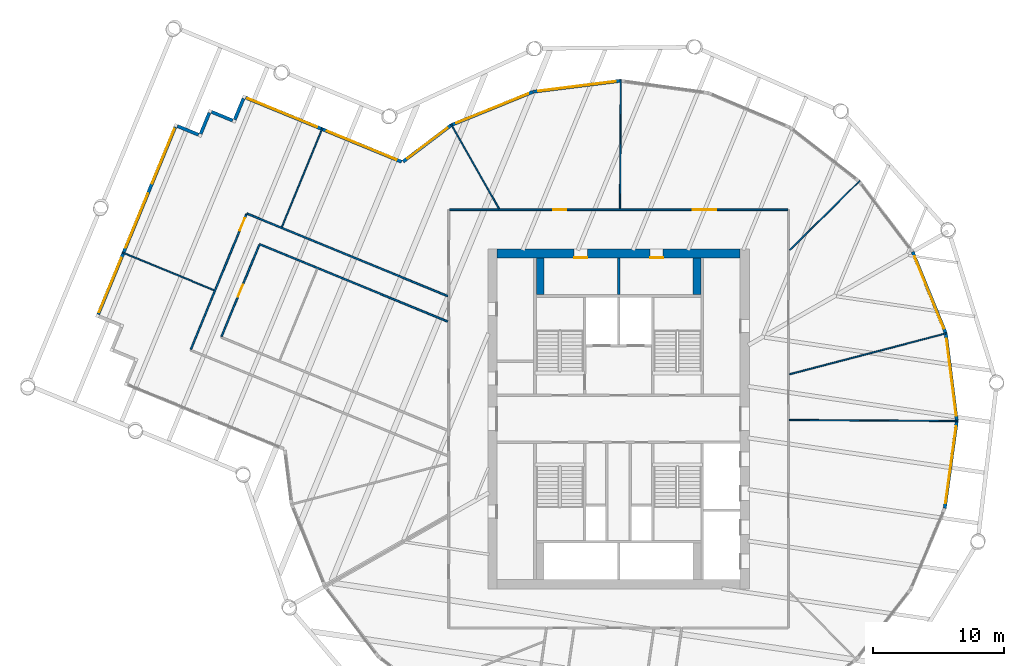
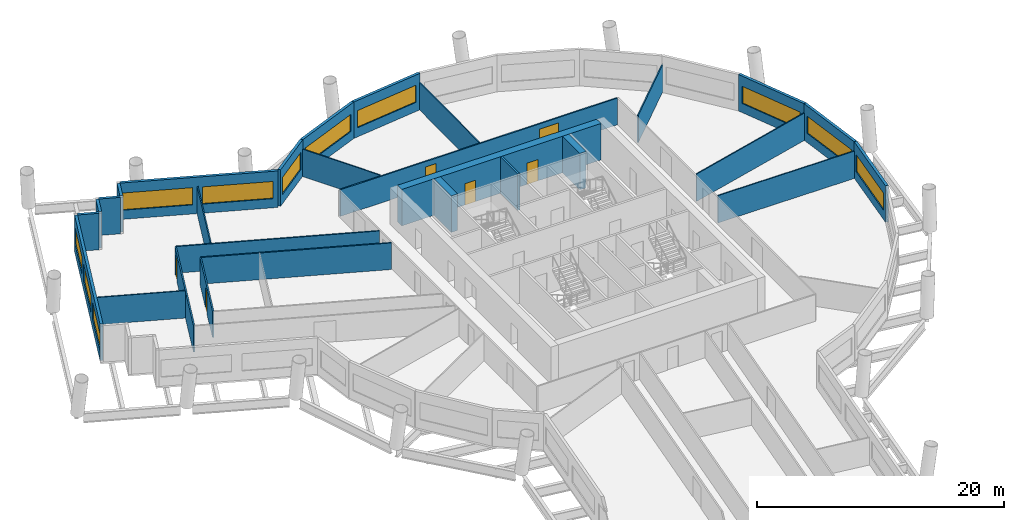
# One storey, part 6 of 11: 28 walls, 11 windows, 6 doors, 17 openings.
"""IFC4 building model written with IfcOpenShell, lengths in metres."""

from ifc_helpers import new_model, si_unit, direction, frame, frame_2d, origin, place, context, subcontext, project, spatial, rectangle, extrude, material, layer, layer_set, type_object, element, fill, save


model = new_model("IFC4")

# Units and contexts
model_context = context("Model", 3, precision=1e-05, world=origin(), true_north=direction((0.0, 1.0)))
body_context = subcontext(model_context, "Body", "Model", "MODEL_VIEW")
ifc_project = project(units=[si_unit("LENGTHUNIT", "METRE"), si_unit("AREAUNIT", "SQUARE_METRE"), si_unit("VOLUMEUNIT", "CUBIC_METRE"), si_unit("PLANEANGLEUNIT", "RADIAN"), si_unit("MASSUNIT", "GRAM", prefix="KILO")], contexts=[model_context])

# Site, building, storey
site_placement = place(None, origin())
site = spatial("IfcSite", under=ifc_project, at=site_placement, CompositionType="ELEMENT")
building_placement = place(site_placement, origin())
building = spatial("IfcBuilding", under=site, at=building_placement, Name="Tarsis Ring Headquarters", CompositionType="ELEMENT")
storey_placement = place(building_placement, frame((0.0, 0.0, 190.5)))
storey = spatial("IfcBuildingStorey", under=building, at=storey_placement, Name="L44", CompositionType="ELEMENT", Elevation=190.5)

# Wall
ifc_material_1 = material(Name="Blockwork", Category="masonry")
ifc_layer_1 = layer(ifc_material_1, 0.199951171875)
ifc_layer_set_1 = layer_set([ifc_layer_1], Name="Core blockwork wall 200")
wall_type_1 = type_object("IfcWallType", Name="Core blockwork wall 200", PredefinedType="PARTITIONING", material=ifc_layer_set_1)
wall_1_placement = place(storey_placement, frame((0.0, 9.5, 0.0), z_axis=(0.0, 0.0, 1.0), x_axis=(0.0, 1.0, 0.0)))
element("IfcWall", 1, at=wall_1_placement, inside=storey, type_object=wall_type_1, Name="Core partition ND2", PredefinedType="PARTITIONING", context=body_context, shape_type="SweptSolid", body=[
    extrude(rectangle(XDim=2.800048828125, YDim=0.199951171875, at=frame_2d((1.39990234375, 0.0))), origin(), (0.0, 0.0, 1.0), 3.60009765625),
])

# Wall, openings, doors
ifc_material_2 = material(Name="Concrete C60/75", Category="concrete")
ifc_layer_2 = layer(ifc_material_2, 0.699951171875)
ifc_layer_set_2 = layer_set([ifc_layer_2], Name="Core wall 700 C60/75")
wall_type_2 = type_object("IfcWallType", Name="Core wall 700 C60/75", PredefinedType="SHEAR", material=ifc_layer_set_2)
wall_2_placement = place(storey_placement, frame((-9.300048828125, 12.64990234375, 0.0), z_axis=(0.0, 0.0, 1.0), x_axis=(1.0, 0.0, 0.0)))
wall_2 = element("IfcWall", 2, at=wall_2_placement, inside=storey, type_object=wall_type_2, Name="Core wall ON", PredefinedType="SHEAR", context=body_context, shape_type="SweptSolid", body=[
    extrude(rectangle(XDim=18.60009765625, YDim=0.699951171875, at=frame_2d((9.300048828125, 0.0))), origin(), (0.0, 0.0, 1.0), 3.60009765625),
])
opening_1_placement = place(wall_2_placement, frame((5.89990234375, 0.0, 0.0)))
opening_1 = element("IfcOpeningElement", 3, at=opening_1_placement, cuts=wall_2, Name="Opening L44-C11", PredefinedType="OPENING", context=body_context, shape_type="SweptSolid", body=[
    extrude(rectangle(XDim=1.0, YDim=2.10009765625, at=frame_2d((0.5, 1.050048828125))), frame((0.0, 0.35986328125, 0.0), z_axis=(0.0, -1.0, 0.0), x_axis=(1.0, 0.0, 0.0)), (0.0, 0.0, 1.0), 0.719970703125),
])
opening_2_placement = place(wall_2_placement, frame((11.699951171875, 0.0, 0.0)))
opening_2 = element("IfcOpeningElement", 4, at=opening_2_placement, cuts=wall_2, Name="Opening L44-C12", PredefinedType="OPENING", context=body_context, shape_type="SweptSolid", body=[
    extrude(rectangle(XDim=1.0, YDim=2.10009765625, at=frame_2d((0.5, 1.050048828125))), frame((0.0, 0.35986328125, 0.0), z_axis=(0.0, -1.0, 0.0), x_axis=(1.0, 0.0, 0.0)), (0.0, 0.0, 1.0), 0.719970703125),
])
ifc_material_3 = material(Name="Steel S355", Category="steel")
door_type_1 = type_object("IfcDoorType", Name="Core room door 1000x2100", OperationType="SINGLE_SWING_LEFT", PredefinedType="DOOR", material=ifc_material_3)
door_1_placement = place(opening_1_placement, origin())
door_1 = element("IfcDoor", 5, at=door_1_placement, inside=storey, type_object=door_type_1, Name="Core room door L44", OperationType="SINGLE_SWING_LEFT", OverallHeight=2.10009765625, OverallWidth=1.0, PredefinedType="DOOR", context=body_context, shape_type="SweptSolid", body=[
    extrude(rectangle(XDim=1.0, YDim=2.10009765625, at=frame_2d((0.5, 1.050048828125))), frame((0.0, -0.2998046875, 0.0), z_axis=(0.0, -1.0, 0.0), x_axis=(1.0, 0.0, 0.0)), (0.0, 0.0, 1.0), 0.050048828125),
])
fill(opening_1, door_1)
door_2_placement = place(opening_2_placement, origin())
door_2 = element("IfcDoor", 6, at=door_2_placement, inside=storey, type_object=door_type_1, Name="Core room door L44", OperationType="SINGLE_SWING_LEFT", OverallHeight=2.10009765625, OverallWidth=1.0, PredefinedType="DOOR", context=body_context, shape_type="SweptSolid", body=[
    extrude(rectangle(XDim=1.0, YDim=2.10009765625, at=frame_2d((0.5, 1.050048828125))), frame((0.0, -0.2998046875, 0.0), z_axis=(0.0, -1.0, 0.0), x_axis=(1.0, 0.0, 0.0)), (0.0, 0.0, 1.0), 0.050048828125),
])
fill(opening_2, door_2)

# Walls
ifc_material_4 = material(Name="Gypsum board on steel studs", Category="steel")
ifc_layer_3 = layer(ifc_material_4, 0.10009765625)
ifc_layer_set_3 = layer_set([ifc_layer_3], Name="FL partition 100 unrated")
wall_type_3 = type_object("IfcWallType", Name="FL partition 100 unrated", PredefinedType="PARTITIONING", material=ifc_layer_set_3)
wall_3_placement = place(storey_placement, frame((13.070068359375, -0.08203125, 0.0), z_axis=(0.0, 0.0, 1.0), x_axis=(0.99998019063, -0.006294310803, 0.0)))
element("IfcWall", 7, at=wall_3_placement, inside=storey, type_object=wall_type_3, Name="Partition PW3", PredefinedType="PARTITIONING", context=body_context, shape_type="SweptSolid", body=[
    extrude(rectangle(XDim=12.87744140625, YDim=0.10009765625, at=frame_2d((6.438720703125, 0.0))), origin(), (0.0, 0.0, 1.0), 2.699951171875),
])
wall_4_placement = place(storey_placement, frame((13.067626953125, 3.41357421875, 0.0), z_axis=(0.0, 0.0, 1.0), x_axis=(0.967534284059, 0.252739805275, 0.0)))
element("IfcWall", 8, at=wall_4_placement, inside=storey, type_object=wall_type_3, Name="Partition PW3", PredefinedType="PARTITIONING", context=body_context, shape_type="SweptSolid", body=[
    extrude(rectangle(XDim=12.44189453125, YDim=0.10009765625, at=frame_2d((6.220947265625, 0.0))), origin(), (0.0, 0.0, 1.0), 2.699951171875),
])
wall_5_placement = place(storey_placement, frame((0.10107421875, 16.070068359375, 0.0), z_axis=(0.0, 0.0, 1.0), x_axis=(0.006278147026, 0.999980292241, 0.0)))
element("IfcWall", 9, at=wall_5_placement, inside=storey, type_object=wall_type_3, Name="Partition PW3", PredefinedType="PARTITIONING", context=body_context, shape_type="SweptSolid", body=[
    extrude(rectangle(XDim=9.87744140625, YDim=0.10009765625, at=frame_2d((4.938720703125, 0.0))), origin(), (0.0, 0.0, 1.0), 2.699951171875),
])
wall_6_placement = place(storey_placement, frame((-25.77001953125, 14.68798828125, 0.0), z_axis=(0.0, 0.0, 1.0), x_axis=(0.380435662112, 0.924807389132, 0.0)))
element("IfcWall", 10, at=wall_6_placement, inside=storey, type_object=wall_type_3, Name="Partition PW3", PredefinedType="PARTITIONING", context=body_context, shape_type="SweptSolid", body=[
    extrude(rectangle(XDim=8.169921875, YDim=0.10009765625, at=frame_2d((4.0849609375, 0.0))), origin(), (0.0, 0.0, 1.0), 2.699951171875),
])
wall_7_placement = place(storey_placement, frame((13.08544921875, 12.922119140625, 0.0), z_axis=(0.0, 0.0, 1.0), x_axis=(0.711534672109, 0.702650987608, 0.0)))
element("IfcWall", 11, at=wall_7_placement, inside=storey, type_object=wall_type_3, Name="Partition PW3", PredefinedType="PARTITIONING", context=body_context, shape_type="SweptSolid", body=[
    extrude(rectangle(XDim=7.5576171875, YDim=0.10009765625, at=frame_2d((3.77880859375, 0.0))), origin(), (0.0, 0.0, 1.0), 2.699951171875),
])
wall_8_placement = place(storey_placement, frame((-37.9619140625, 12.728759765625, 0.0), z_axis=(0.0, 0.0, 1.0), x_axis=(0.924814117253, -0.380419306199, 0.0)))
element("IfcWall", 12, at=wall_8_placement, inside=storey, type_object=wall_type_3, Name="Partition PW3", PredefinedType="PARTITIONING", context=body_context, shape_type="SweptSolid", body=[
    extrude(rectangle(XDim=7.579833984375, YDim=0.10009765625, at=frame_2d((3.7900390625, 0.0))), origin(), (0.0, 0.0, 1.0), 2.699951171875),
])
wall_9_placement = place(storey_placement, frame((-12.83251953125, 22.552490234375, 0.0), z_axis=(0.0, 0.0, 1.0), x_axis=(0.494539190317, -0.869155330905, 0.0)))
element("IfcWall", 13, at=wall_9_placement, inside=storey, type_object=wall_type_3, Name="Partition PW3", PredefinedType="PARTITIONING", context=body_context, shape_type="SweptSolid", body=[
    extrude(rectangle(XDim=7.448974609375, YDim=0.10009765625, at=frame_2d((3.724609375, 0.0))), origin(), (0.0, 0.0, 1.0), 2.699951171875),
])

# Wall, openings, doors
ifc_layer_4 = layer(ifc_material_4, 0.125)
ifc_layer_set_4 = layer_set([ifc_layer_4], Name="FL partition 125 EI 60 H2630")
wall_type_4 = type_object("IfcWallType", Name="FL partition 125 EI 60 H2630", PredefinedType="PARTITIONING", material=ifc_layer_set_4)
wall_10_placement = place(storey_placement, frame((-12.93798828125, 16.0, 0.0), z_axis=(0.0, 0.0, 1.0), x_axis=(1.0, 0.0, 0.0)))
wall_10 = element("IfcWall", 14, at=wall_10_placement, inside=storey, type_object=wall_type_4, Name="Partition PW1H263", PredefinedType="PARTITIONING", context=body_context, shape_type="SweptSolid", body=[
    extrude(rectangle(XDim=25.8779296875, YDim=0.125, at=frame_2d((12.93896484375, 0.0))), origin(), (0.0, 0.0, 1.0), 2.6298828125),
])
opening_3_placement = place(wall_10_placement, frame((7.936279296875, 0.0, 0.0)))
opening_3 = element("IfcOpeningElement", 15, at=opening_3_placement, cuts=wall_10, Name="Opening D44.04", PredefinedType="OPENING", context=body_context, shape_type="SweptSolid", body=[
    extrude(rectangle(XDim=1.0, YDim=2.10009765625, at=frame_2d((0.5, 1.050048828125))), frame((0.0, 0.072509765625, 0.0), z_axis=(0.0, -1.0, 0.0), x_axis=(1.0, 0.0, 0.0)), (0.0, 0.0, 1.0), 0.14501953125),
])
opening_4_placement = place(wall_10_placement, frame((18.58837890625, 0.0, 0.0)))
opening_4 = element("IfcOpeningElement", 16, at=opening_4_placement, cuts=wall_10, Name="Opening D44.05", PredefinedType="OPENING", context=body_context, shape_type="SweptSolid", body=[
    extrude(rectangle(XDim=1.800048828125, YDim=2.10009765625, at=frame_2d((0.89990234375, 1.050048828125))), frame((0.0, 0.072509765625, 0.0), z_axis=(0.0, -1.0, 0.0), x_axis=(1.0, 0.0, 0.0)), (0.0, 0.0, 1.0), 0.14501953125),
])
ifc_material_5 = material(Name="Fire-rated timber door leaf in steel frame", Category="steel")
door_type_2 = type_object("IfcDoorType", Name="FL door FD60-1000", OperationType="NOTDEFINED", PredefinedType="DOOR", material=ifc_material_5)
door_3_placement = place(opening_3_placement, origin())
door_3 = element("IfcDoor", 17, at=door_3_placement, inside=storey, type_object=door_type_2, Name="Door D44.04", OperationType="SINGLE_SWING_RIGHT", OverallHeight=2.10009765625, OverallWidth=1.0, PredefinedType="DOOR", context=body_context, shape_type="SweptSolid", body=[
    extrude(rectangle(XDim=1.0, YDim=2.10009765625, at=frame_2d((0.5, 1.050048828125))), frame((0.0, 0.02490234375, 0.0), z_axis=(0.0, -1.0, 0.0), x_axis=(1.0, 0.0, 0.0)), (0.0, 0.0, 1.0), 0.050048828125),
])
fill(opening_3, door_3)
door_type_3 = type_object("IfcDoorType", Name="FL door FD60-1800", OperationType="DOUBLE_DOOR_SINGLE_SWING", PredefinedType="DOOR", material=ifc_material_5)
door_4_placement = place(opening_4_placement, origin())
door_4 = element("IfcDoor", 18, at=door_4_placement, inside=storey, type_object=door_type_3, Name="Door D44.05", OperationType="DOUBLE_DOOR_SINGLE_SWING", OverallHeight=2.10009765625, OverallWidth=1.800048828125, PredefinedType="DOOR", context=body_context, shape_type="SweptSolid", body=[
    extrude(rectangle(XDim=1.800048828125, YDim=2.10009765625, at=frame_2d((0.89990234375, 1.050048828125))), frame((0.0, 0.02490234375, 0.0), z_axis=(0.0, -1.0, 0.0), x_axis=(1.0, 0.0, 0.0)), (0.0, 0.0, 1.0), 0.050048828125),
])
fill(opening_4, door_4)

# Walls
wall_11_placement = place(storey_placement, frame((-28.4599609375, 15.71875, 0.0), z_axis=(0.0, 0.0, 1.0), x_axis=(0.924813363225, -0.380421139267, 0.0)))
element("IfcWall", 19, at=wall_11_placement, inside=storey, type_object=wall_type_4, Name="Partition PW1H263", PredefinedType="PARTITIONING", context=body_context, shape_type="SweptSolid", body=[
    extrude(rectangle(XDim=16.626708984375, YDim=0.125, at=frame_2d((8.3134765625, 0.0))), origin(), (0.0, 0.0, 1.0), 2.6298828125),
])
wall_12_placement = place(storey_placement, frame((-27.47998046875, 13.369384765625, 0.0), z_axis=(0.0, 0.0, 1.0), x_axis=(0.92480698887, -0.380436635114, 0.0)))
element("IfcWall", 20, at=wall_12_placement, inside=storey, type_object=wall_type_4, Name="Partition PW1H263", PredefinedType="PARTITIONING", context=body_context, shape_type="SweptSolid", body=[
    extrude(rectangle(XDim=15.5673828125, YDim=0.125, at=frame_2d((7.78369140625, 0.0))), origin(), (0.0, 0.0, 1.0), 2.6298828125),
])

# Wall, opening, door
wall_13_placement = place(storey_placement, frame((-32.736083984375, 5.323974609375, 0.0), z_axis=(0.0, 0.0, 1.0), x_axis=(0.380427972442, 0.924810552375, 0.0)))
wall_13 = element("IfcWall", 21, at=wall_13_placement, inside=storey, type_object=wall_type_4, Name="Partition PW1H263", PredefinedType="PARTITIONING", context=body_context, shape_type="SweptSolid", body=[
    extrude(rectangle(XDim=11.179931640625, YDim=0.125, at=frame_2d((5.58984375, 0.0))), origin(), (0.0, 0.0, 1.0), 2.6298828125),
])
opening_5_placement = place(wall_13_placement, frame((9.840087890625, 0.0, 0.0)))
opening_5 = element("IfcOpeningElement", 22, at=opening_5_placement, cuts=wall_13, Name="Opening D44.02", PredefinedType="OPENING", context=body_context, shape_type="SweptSolid", body=[
    extrude(rectangle(XDim=1.0, YDim=2.10009765625, at=frame_2d((0.5, 1.050048828125))), frame((0.0, 0.072509765625, 0.0), z_axis=(0.0, -1.0, 0.0), x_axis=(1.0, 0.0, 0.0)), (0.0, 0.0, 1.0), 0.14501953125),
])
door_5_placement = place(opening_5_placement, origin())
door_5 = element("IfcDoor", 23, at=door_5_placement, inside=storey, type_object=door_type_2, Name="Door D44.02", OperationType="SINGLE_SWING_RIGHT", OverallHeight=2.10009765625, OverallWidth=1.0, PredefinedType="DOOR", context=body_context, shape_type="SweptSolid", body=[
    extrude(rectangle(XDim=1.0, YDim=2.10009765625, at=frame_2d((0.5, 1.050048828125))), frame((0.0, 0.02490234375, 0.0), z_axis=(0.0, -1.0, 0.0), x_axis=(1.0, 0.0, 0.0)), (0.0, 0.0, 1.0), 0.050048828125),
])
fill(opening_5, door_5)

wall_14_placement = place(storey_placement, frame((-30.38671875, 6.3037109375, 0.0), z_axis=(0.0, 0.0, 1.0), x_axis=(0.38043552148, 0.924807446984, 0.0)))
wall_14 = element("IfcWall", 24, at=wall_14_placement, inside=storey, type_object=wall_type_4, Name="Partition PW1H263", PredefinedType="PARTITIONING", context=body_context, shape_type="SweptSolid", body=[
    extrude(rectangle(XDim=7.580322265625, YDim=0.125, at=frame_2d((3.7900390625, 0.0))), origin(), (0.0, 0.0, 1.0), 2.6298828125),
])
opening_6_placement = place(wall_14_placement, frame((3.2900390625, 0.0, 0.0)))
opening_6 = element("IfcOpeningElement", 25, at=opening_6_placement, cuts=wall_14, Name="Opening D44.15", PredefinedType="OPENING", context=body_context, shape_type="SweptSolid", body=[
    extrude(rectangle(XDim=1.0, YDim=2.10009765625, at=frame_2d((0.5, 1.050048828125))), frame((0.0, 0.072509765625, 0.0), z_axis=(0.0, -1.0, 0.0), x_axis=(1.0, 0.0, 0.0)), (0.0, 0.0, 1.0), 0.14501953125),
])
door_6_placement = place(opening_6_placement, origin())
door_6 = element("IfcDoor", 26, at=door_6_placement, inside=storey, type_object=door_type_2, Name="Door D44.15", OperationType="SINGLE_SWING_LEFT", OverallHeight=2.10009765625, OverallWidth=1.0, PredefinedType="DOOR", context=body_context, shape_type="SweptSolid", body=[
    extrude(rectangle(XDim=1.0, YDim=2.10009765625, at=frame_2d((0.5, 1.050048828125))), frame((0.0, 0.02490234375, 0.0), z_axis=(0.0, -1.0, 0.0), x_axis=(1.0, 0.0, 0.0)), (0.0, 0.0, 1.0), 0.050048828125),
])
fill(opening_6, door_6)

# Wall, opening, window
ifc_material_6 = material(Name="Terracotta clad insulated panel wall", Category="masonry")
ifc_layer_5 = layer(ifc_material_6, 0.25)
ifc_layer_set_5 = layer_set([ifc_layer_5], Name="Facade wall terracotta panel 250")
wall_type_5 = type_object("IfcWallType", Name="Facade wall terracotta panel 250", PredefinedType="STANDARD", material=ifc_layer_set_5)
wall_15_placement = place(storey_placement, frame((24.951904296875, -6.837158203125, 0.0), z_axis=(0.0, 0.0, 1.0), x_axis=(0.13675662251, 0.990604677053, 0.0)))
wall_15 = element("IfcWall", 27, at=wall_15_placement, inside=storey, type_object=wall_type_5, Name="External wall L44-21", PredefinedType="STANDARD", context=body_context, shape_type="SweptSolid", body=[
    extrude(rectangle(XDim=6.721435546875, YDim=0.25, at=frame_2d((3.36083984375, 0.0))), origin(), (0.0, 0.0, 1.0), 3.60009765625),
])
opening_7_placement = place(wall_15_placement, frame((0.3857421875, 0.0, 0.89990234375)))
opening_7 = element("IfcOpeningElement", 28, at=opening_7_placement, cuts=wall_15, Name="Opening WN07", PredefinedType="OPENING", context=body_context, shape_type="SweptSolid", body=[
    extrude(rectangle(XDim=5.949951171875, YDim=1.699951171875, at=frame_2d((2.97509765625, 0.85009765625))), frame((0.0, 0.135009765625, 0.0), z_axis=(0.0, -1.0, 0.0), x_axis=(1.0, 0.0, 0.0)), (0.0, 0.0, 1.0), 0.27001953125),
])
ifc_material_7 = material(Name="Aluminium framed double glazing", Category="aluminium")
window_type_1 = type_object("IfcWindowType", Name="Facade window 5950 x 1700", PartitioningType="SINGLE_PANEL", PredefinedType="WINDOW", material=ifc_material_7)
window_1_placement = place(opening_7_placement, origin())
window_1 = element("IfcWindow", 29, at=window_1_placement, inside=storey, type_object=window_type_1, Name="Window L44-21.1", OverallHeight=1.699951171875, OverallWidth=5.949951171875, PartitioningType="SINGLE_PANEL", PredefinedType="WINDOW", context=body_context, shape_type="SweptSolid", body=[
    extrude(rectangle(XDim=5.949951171875, YDim=1.699951171875, at=frame_2d((2.97509765625, 0.85009765625))), frame((0.0, 0.030029296875, 0.0), z_axis=(0.0, -1.0, 0.0), x_axis=(1.0, 0.0, 0.0)), (0.0, 0.0, 1.0), 0.06005859375),
])
fill(opening_7, window_1)

wall_16_placement = place(storey_placement, frame((25.871337890625, -0.146240234375, 0.0), z_axis=(0.0, 0.0, 1.0), x_axis=(-0.124294013826, 0.992245432404, 0.0)))
wall_16 = element("IfcWall", 30, at=wall_16_placement, inside=storey, type_object=wall_type_5, Name="External wall L44-22", PredefinedType="STANDARD", context=body_context, shape_type="SweptSolid", body=[
    extrude(rectangle(XDim=6.721435546875, YDim=0.25, at=frame_2d((3.36083984375, 0.0))), origin(), (0.0, 0.0, 1.0), 3.60009765625),
])
opening_8_placement = place(wall_16_placement, frame((0.3857421875, 0.0, 0.89990234375)))
opening_8 = element("IfcOpeningElement", 31, at=opening_8_placement, cuts=wall_16, Name="Opening WN07", PredefinedType="OPENING", context=body_context, shape_type="SweptSolid", body=[
    extrude(rectangle(XDim=5.949951171875, YDim=1.699951171875, at=frame_2d((2.97509765625, 0.85009765625))), frame((0.0, 0.135009765625, 0.0), z_axis=(0.0, -1.0, 0.0), x_axis=(1.0, 0.0, 0.0)), (0.0, 0.0, 1.0), 0.27001953125),
])
window_2_placement = place(opening_8_placement, origin())
window_2 = element("IfcWindow", 32, at=window_2_placement, inside=storey, type_object=window_type_1, Name="Window L44-22.1", OverallHeight=1.699951171875, OverallWidth=5.949951171875, PartitioningType="SINGLE_PANEL", PredefinedType="WINDOW", context=body_context, shape_type="SweptSolid", body=[
    extrude(rectangle(XDim=5.949951171875, YDim=1.699951171875, at=frame_2d((2.97509765625, 0.85009765625))), frame((0.0, 0.030029296875, 0.0), z_axis=(0.0, -1.0, 0.0), x_axis=(1.0, 0.0, 0.0)), (0.0, 0.0, 1.0), 0.06005859375),
])
fill(opening_8, window_2)

wall_17_placement = place(storey_placement, frame((25.027587890625, 6.5546875, 0.0), z_axis=(0.0, 0.0, 1.0), x_axis=(-0.376838801748, 0.92627885515, 0.0)))
wall_17 = element("IfcWall", 33, at=wall_17_placement, inside=storey, type_object=wall_type_5, Name="External wall L44-23", PredefinedType="STANDARD", context=body_context, shape_type="SweptSolid", body=[
    extrude(rectangle(XDim=6.7216796875, YDim=0.25, at=frame_2d((3.36083984375, 0.0))), origin(), (0.0, 0.0, 1.0), 3.60009765625),
])
opening_9_placement = place(wall_17_placement, frame((0.3857421875, 0.0, 0.89990234375)))
opening_9 = element("IfcOpeningElement", 34, at=opening_9_placement, cuts=wall_17, Name="Opening WN07", PredefinedType="OPENING", context=body_context, shape_type="SweptSolid", body=[
    extrude(rectangle(XDim=5.949951171875, YDim=1.699951171875, at=frame_2d((2.97509765625, 0.85009765625))), frame((0.0, 0.135009765625, 0.0), z_axis=(0.0, -1.0, 0.0), x_axis=(1.0, 0.0, 0.0)), (0.0, 0.0, 1.0), 0.27001953125),
])
window_3_placement = place(opening_9_placement, origin())
window_3 = element("IfcWindow", 35, at=window_3_placement, inside=storey, type_object=window_type_1, Name="Window L44-23.1", OverallHeight=1.699951171875, OverallWidth=5.949951171875, PartitioningType="SINGLE_PANEL", PredefinedType="WINDOW", context=body_context, shape_type="SweptSolid", body=[
    extrude(rectangle(XDim=5.949951171875, YDim=1.699951171875, at=frame_2d((2.97509765625, 0.85009765625))), frame((0.0, 0.030029296875, 0.0), z_axis=(0.0, -1.0, 0.0), x_axis=(1.0, 0.0, 0.0)), (0.0, 0.0, 1.0), 0.06005859375),
])
fill(opening_9, window_3)

wall_18_placement = place(storey_placement, frame((0.146240234375, 25.871337890625, 0.0), z_axis=(0.0, 0.0, 1.0), x_axis=(-0.992245432404, -0.124294013826, 0.0)))
wall_18 = element("IfcWall", 36, at=wall_18_placement, inside=storey, type_object=wall_type_5, Name="External wall L44-28", PredefinedType="STANDARD", context=body_context, shape_type="SweptSolid", body=[
    extrude(rectangle(XDim=6.721435546875, YDim=0.25, at=frame_2d((3.36083984375, 0.0))), origin(), (0.0, 0.0, 1.0), 3.60009765625),
])
opening_10_placement = place(wall_18_placement, frame((0.3857421875, 0.0, 0.89990234375)))
opening_10 = element("IfcOpeningElement", 37, at=opening_10_placement, cuts=wall_18, Name="Opening WN07", PredefinedType="OPENING", context=body_context, shape_type="SweptSolid", body=[
    extrude(rectangle(XDim=5.949951171875, YDim=1.699951171875, at=frame_2d((2.97509765625, 0.85009765625))), frame((0.0, 0.135009765625, 0.0), z_axis=(0.0, -1.0, 0.0), x_axis=(1.0, 0.0, 0.0)), (0.0, 0.0, 1.0), 0.27001953125),
])
window_4_placement = place(opening_10_placement, origin())
window_4 = element("IfcWindow", 38, at=window_4_placement, inside=storey, type_object=window_type_1, Name="Window L44-28.1", OverallHeight=1.699951171875, OverallWidth=5.949951171875, PartitioningType="SINGLE_PANEL", PredefinedType="WINDOW", context=body_context, shape_type="SweptSolid", body=[
    extrude(rectangle(XDim=5.949951171875, YDim=1.699951171875, at=frame_2d((2.97509765625, 0.85009765625))), frame((0.0, 0.030029296875, 0.0), z_axis=(0.0, -1.0, 0.0), x_axis=(1.0, 0.0, 0.0)), (0.0, 0.0, 1.0), 0.06005859375),
])
fill(opening_10, window_4)

wall_19_placement = place(storey_placement, frame((-6.5546875, 25.027587890625, 0.0), z_axis=(0.0, 0.0, 1.0), x_axis=(-0.92627885515, -0.376838801748, 0.0)))
wall_19 = element("IfcWall", 39, at=wall_19_placement, inside=storey, type_object=wall_type_5, Name="External wall L44-29", PredefinedType="STANDARD", context=body_context, shape_type="SweptSolid", body=[
    extrude(rectangle(XDim=6.7216796875, YDim=0.25, at=frame_2d((3.36083984375, 0.0))), origin(), (0.0, 0.0, 1.0), 3.60009765625),
])
opening_11_placement = place(wall_19_placement, frame((0.3857421875, 0.0, 0.89990234375)))
opening_11 = element("IfcOpeningElement", 40, at=opening_11_placement, cuts=wall_19, Name="Opening WN07", PredefinedType="OPENING", context=body_context, shape_type="SweptSolid", body=[
    extrude(rectangle(XDim=5.949951171875, YDim=1.699951171875, at=frame_2d((2.97509765625, 0.85009765625))), frame((0.0, 0.135009765625, 0.0), z_axis=(0.0, -1.0, 0.0), x_axis=(1.0, 0.0, 0.0)), (0.0, 0.0, 1.0), 0.27001953125),
])
window_5_placement = place(opening_11_placement, origin())
window_5 = element("IfcWindow", 41, at=window_5_placement, inside=storey, type_object=window_type_1, Name="Window L44-29.1", OverallHeight=1.699951171875, OverallWidth=5.949951171875, PartitioningType="SINGLE_PANEL", PredefinedType="WINDOW", context=body_context, shape_type="SweptSolid", body=[
    extrude(rectangle(XDim=5.949951171875, YDim=1.699951171875, at=frame_2d((2.97509765625, 0.85009765625))), frame((0.0, 0.030029296875, 0.0), z_axis=(0.0, -1.0, 0.0), x_axis=(1.0, 0.0, 0.0)), (0.0, 0.0, 1.0), 0.06005859375),
])
fill(opening_11, window_5)

wall_20_placement = place(storey_placement, frame((-12.80908203125, 22.478271484375, 0.0), z_axis=(0.0, 0.0, 1.0), x_axis=(-0.797186991254, -0.603732474674, 0.0)))
wall_20 = element("IfcWall", 42, at=wall_20_placement, inside=storey, type_object=wall_type_5, Name="External wall L44-30", PredefinedType="STANDARD", context=body_context, shape_type="SweptSolid", body=[
    extrude(rectangle(XDim=4.61767578125, YDim=0.25, at=frame_2d((2.308837890625, 0.0))), origin(), (0.0, 0.0, 1.0), 3.60009765625),
])
opening_12_placement = place(wall_20_placement, frame((0.367431640625, 0.0, 0.89990234375)))
opening_12 = element("IfcOpeningElement", 43, at=opening_12_placement, cuts=wall_20, Name="Opening WN02", PredefinedType="OPENING", context=body_context, shape_type="SweptSolid", body=[
    extrude(rectangle(XDim=3.85009765625, YDim=1.699951171875, at=frame_2d((1.925048828125, 0.85009765625))), frame((0.0, 0.135009765625, 0.0), z_axis=(0.0, -1.0, 0.0), x_axis=(1.0, 0.0, 0.0)), (0.0, 0.0, 1.0), 0.27001953125),
])
window_type_2 = type_object("IfcWindowType", Name="Facade window 3850 x 1700", PartitioningType="SINGLE_PANEL", PredefinedType="WINDOW", material=ifc_material_7)
window_6_placement = place(opening_12_placement, origin())
window_6 = element("IfcWindow", 44, at=window_6_placement, inside=storey, type_object=window_type_2, Name="Window L44-30.1", OverallHeight=1.699951171875, OverallWidth=3.85009765625, PartitioningType="SINGLE_PANEL", PredefinedType="WINDOW", context=body_context, shape_type="SweptSolid", body=[
    extrude(rectangle(XDim=3.85009765625, YDim=1.699951171875, at=frame_2d((1.925048828125, 0.85009765625))), frame((0.0, 0.030029296875, 0.0), z_axis=(0.0, -1.0, 0.0), x_axis=(1.0, 0.0, 0.0)), (0.0, 0.0, 1.0), 0.06005859375),
])
fill(opening_12, window_6)

# Wall, openings, windows
wall_21_placement = place(storey_placement, frame((-16.61328125, 19.67431640625, 0.0), z_axis=(0.0, 0.0, 1.0), x_axis=(-0.924810901382, 0.380427124012, 0.0)))
wall_21 = element("IfcWall", 45, at=wall_21_placement, inside=storey, type_object=wall_type_5, Name="External wall L44-31", PredefinedType="STANDARD", context=body_context, shape_type="SweptSolid", body=[
    extrude(rectangle(XDim=12.901123046875, YDim=0.25, at=frame_2d((6.45068359375, 0.0))), origin(), (0.0, 0.0, 1.0), 3.60009765625),
])
opening_13_placement = place(wall_21_placement, frame((0.412841796875, 0.0, 0.89990234375)))
opening_13 = element("IfcOpeningElement", 46, at=opening_13_placement, cuts=wall_21, Name="Opening WN06", PredefinedType="OPENING", context=body_context, shape_type="SweptSolid", body=[
    extrude(rectangle(XDim=5.75, YDim=1.699951171875, at=frame_2d((2.875, 0.85009765625))), frame((0.0, 0.135009765625, 0.0), z_axis=(0.0, -1.0, 0.0), x_axis=(1.0, 0.0, 0.0)), (0.0, 0.0, 1.0), 0.27001953125),
])
opening_14_placement = place(wall_21_placement, frame((6.988525390625, 0.0, 0.89990234375)))
opening_14 = element("IfcOpeningElement", 47, at=opening_14_placement, cuts=wall_21, Name="Opening WN06", PredefinedType="OPENING", context=body_context, shape_type="SweptSolid", body=[
    extrude(rectangle(XDim=5.75, YDim=1.699951171875, at=frame_2d((2.875, 0.85009765625))), frame((0.0, 0.135009765625, 0.0), z_axis=(0.0, -1.0, 0.0), x_axis=(1.0, 0.0, 0.0)), (0.0, 0.0, 1.0), 0.27001953125),
])
window_type_3 = type_object("IfcWindowType", Name="Facade window 5750 x 1700", PartitioningType="SINGLE_PANEL", PredefinedType="WINDOW", material=ifc_material_7)
window_7_placement = place(opening_13_placement, origin())
window_7 = element("IfcWindow", 48, at=window_7_placement, inside=storey, type_object=window_type_3, Name="Window L44-31.1", OverallHeight=1.699951171875, OverallWidth=5.75, PartitioningType="SINGLE_PANEL", PredefinedType="WINDOW", context=body_context, shape_type="SweptSolid", body=[
    extrude(rectangle(XDim=5.75, YDim=1.699951171875, at=frame_2d((2.875, 0.85009765625))), frame((0.0, 0.030029296875, 0.0), z_axis=(0.0, -1.0, 0.0), x_axis=(1.0, 0.0, 0.0)), (0.0, 0.0, 1.0), 0.06005859375),
])
fill(opening_13, window_7)
window_8_placement = place(opening_14_placement, origin())
window_8 = element("IfcWindow", 49, at=window_8_placement, inside=storey, type_object=window_type_3, Name="Window L44-31.2", OverallHeight=1.699951171875, OverallWidth=5.75, PartitioningType="SINGLE_PANEL", PredefinedType="WINDOW", context=body_context, shape_type="SweptSolid", body=[
    extrude(rectangle(XDim=5.75, YDim=1.699951171875, at=frame_2d((2.875, 0.85009765625))), frame((0.0, 0.030029296875, 0.0), z_axis=(0.0, -1.0, 0.0), x_axis=(1.0, 0.0, 0.0)), (0.0, 0.0, 1.0), 0.06005859375),
])
fill(opening_14, window_8)

# Walls
for number, where, z_axis, x_axis, name in (
    (50, (-28.70751953125, 24.51416015625, 0.0), (0.0, 0.0, 1.0), (-0.380441048134, -0.92480517348, 0.0), "External wall L44-32"),
    (51, (-29.53662109375, 22.827880859375, 0.0), (0.0, 0.0, 1.0), (-0.92480517348, 0.380441048134, 0.0), "External wall L44-33"),
    (52, (-31.318115234375, 23.425537109375, 0.0), (0.0, 0.0, 1.0), (-0.380441048134, -0.92480517348, 0.0), "External wall L44-34"),
    (53, (-32.14697265625, 21.739013671875, 0.0), (0.0, 0.0, 1.0), (-0.92480517348, 0.380441048134, 0.0), "External wall L44-35"),
):
    element("IfcWall", number, at=place(storey_placement, frame(where, z_axis=z_axis, x_axis=x_axis)), inside=storey, type_object=wall_type_5, Name=name, PredefinedType="STANDARD", context=body_context, shape_type="SweptSolid", body=[
        extrude(rectangle(XDim=1.75, YDim=0.25, at=frame_2d((0.875, 0.0))), origin(), (0.0, 0.0, 1.0), 3.60009765625),
    ])

# Wall, openings, windows
wall_22_placement = place(storey_placement, frame((-33.928466796875, 22.336669921875, 0.0), z_axis=(0.0, 0.0, 1.0), x_axis=(-0.380435274703, -0.9248075485, 0.0)))
wall_22 = element("IfcWall", 54, at=wall_22_placement, inside=storey, type_object=wall_type_5, Name="External wall L44-36", PredefinedType="STANDARD", context=body_context, shape_type="SweptSolid", body=[
    extrude(rectangle(XDim=15.5, YDim=0.25, at=frame_2d((7.75, 0.0))), origin(), (0.0, 0.0, 1.0), 3.60009765625),
])
opening_15_placement = place(wall_22_placement, frame((0.166748046875, 0.0, 0.89990234375)))
opening_15 = element("IfcOpeningElement", 55, at=opening_15_placement, cuts=wall_22, Name="Opening WN04", PredefinedType="OPENING", context=body_context, shape_type="SweptSolid", body=[
    extrude(rectangle(XDim=4.5, YDim=1.699951171875, at=frame_2d((2.25, 0.85009765625))), frame((0.0, 0.135009765625, 0.0), z_axis=(0.0, -1.0, 0.0), x_axis=(1.0, 0.0, 0.0)), (0.0, 0.0, 1.0), 0.27001953125),
])
opening_16_placement = place(wall_22_placement, frame((5.5, 0.0, 0.89990234375)))
opening_16 = element("IfcOpeningElement", 56, at=opening_16_placement, cuts=wall_22, Name="Opening WN04", PredefinedType="OPENING", context=body_context, shape_type="SweptSolid", body=[
    extrude(rectangle(XDim=4.5, YDim=1.699951171875, at=frame_2d((2.25, 0.85009765625))), frame((0.0, 0.135009765625, 0.0), z_axis=(0.0, -1.0, 0.0), x_axis=(1.0, 0.0, 0.0)), (0.0, 0.0, 1.0), 0.27001953125),
])
opening_17_placement = place(wall_22_placement, frame((10.833251953125, 0.0, 0.89990234375)))
opening_17 = element("IfcOpeningElement", 57, at=opening_17_placement, cuts=wall_22, Name="Opening WN04", PredefinedType="OPENING", context=body_context, shape_type="SweptSolid", body=[
    extrude(rectangle(XDim=4.5, YDim=1.699951171875, at=frame_2d((2.25, 0.85009765625))), frame((0.0, 0.135009765625, 0.0), z_axis=(0.0, -1.0, 0.0), x_axis=(1.0, 0.0, 0.0)), (0.0, 0.0, 1.0), 0.27001953125),
])
window_type_4 = type_object("IfcWindowType", Name="Facade window 4500 x 1700", PartitioningType="SINGLE_PANEL", PredefinedType="WINDOW", material=ifc_material_7)
window_9_placement = place(opening_15_placement, origin())
window_9 = element("IfcWindow", 58, at=window_9_placement, inside=storey, type_object=window_type_4, Name="Window L44-36.1", OverallHeight=1.699951171875, OverallWidth=4.5, PartitioningType="SINGLE_PANEL", PredefinedType="WINDOW", context=body_context, shape_type="SweptSolid", body=[
    extrude(rectangle(XDim=4.5, YDim=1.699951171875, at=frame_2d((2.25, 0.85009765625))), frame((0.0, 0.030029296875, 0.0), z_axis=(0.0, -1.0, 0.0), x_axis=(1.0, 0.0, 0.0)), (0.0, 0.0, 1.0), 0.06005859375),
])
fill(opening_15, window_9)
window_10_placement = place(opening_16_placement, origin())
window_10 = element("IfcWindow", 59, at=window_10_placement, inside=storey, type_object=window_type_4, Name="Window L44-36.2", OverallHeight=1.699951171875, OverallWidth=4.5, PartitioningType="SINGLE_PANEL", PredefinedType="WINDOW", context=body_context, shape_type="SweptSolid", body=[
    extrude(rectangle(XDim=4.5, YDim=1.699951171875, at=frame_2d((2.25, 0.85009765625))), frame((0.0, 0.030029296875, 0.0), z_axis=(0.0, -1.0, 0.0), x_axis=(1.0, 0.0, 0.0)), (0.0, 0.0, 1.0), 0.06005859375),
])
fill(opening_16, window_10)
window_11_placement = place(opening_17_placement, origin())
window_11 = element("IfcWindow", 60, at=window_11_placement, inside=storey, type_object=window_type_4, Name="Window L44-36.3", OverallHeight=1.699951171875, OverallWidth=4.5, PartitioningType="SINGLE_PANEL", PredefinedType="WINDOW", context=body_context, shape_type="SweptSolid", body=[
    extrude(rectangle(XDim=4.5, YDim=1.699951171875, at=frame_2d((2.25, 0.85009765625))), frame((0.0, 0.030029296875, 0.0), z_axis=(0.0, -1.0, 0.0), x_axis=(1.0, 0.0, 0.0)), (0.0, 0.0, 1.0), 0.06005859375),
])
fill(opening_17, window_11)

# Walls
ifc_material_8 = material(Name="Concrete C32/40", Category="concrete")
ifc_layer_6 = layer(ifc_material_8, 0.60009765625)
ifc_layer_set_6 = layer_set([ifc_layer_6], Name="Shaft end wall 600 C32/40")
wall_type_6 = type_object("IfcWallType", Name="Shaft end wall 600 C32/40", PredefinedType="SOLIDWALL", material=ifc_layer_set_6)
for number, where, z_axis, x_axis, name in (
    (61, (-6.0, 9.5, 0.0), (0.0, 0.0, 1.0), (0.0, 1.0, 0.0), "Core shaft wall NNE1"),
    (62, (6.0, 9.5, 0.0), (0.0, 0.0, 1.0), (0.0, 1.0, 0.0), "Core shaft wall NNE2"),
):
    element("IfcWall", number, at=place(storey_placement, frame(where, z_axis=z_axis, x_axis=x_axis)), inside=storey, type_object=wall_type_6, Name=name, PredefinedType="SOLIDWALL", context=body_context, shape_type="SweptSolid", body=[
        extrude(rectangle(XDim=2.800048828125, YDim=0.60009765625, at=frame_2d((1.39990234375, 0.0))), origin(), (0.0, 0.0, 1.0), 3.60009765625),
    ])

save(model, "model.ifc")
